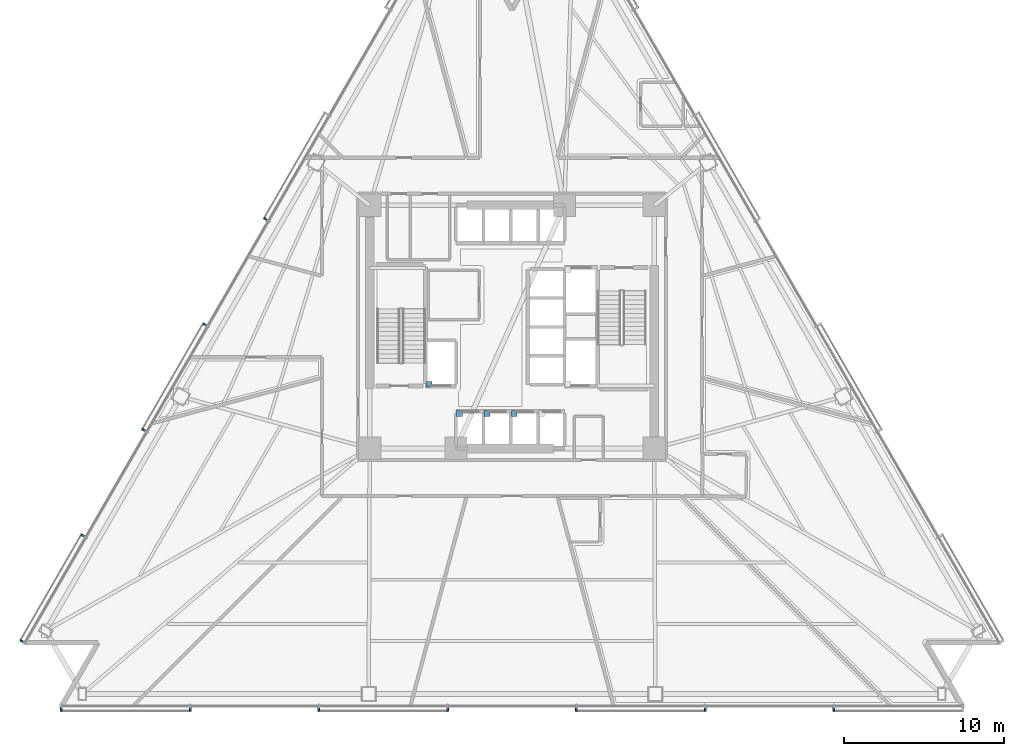
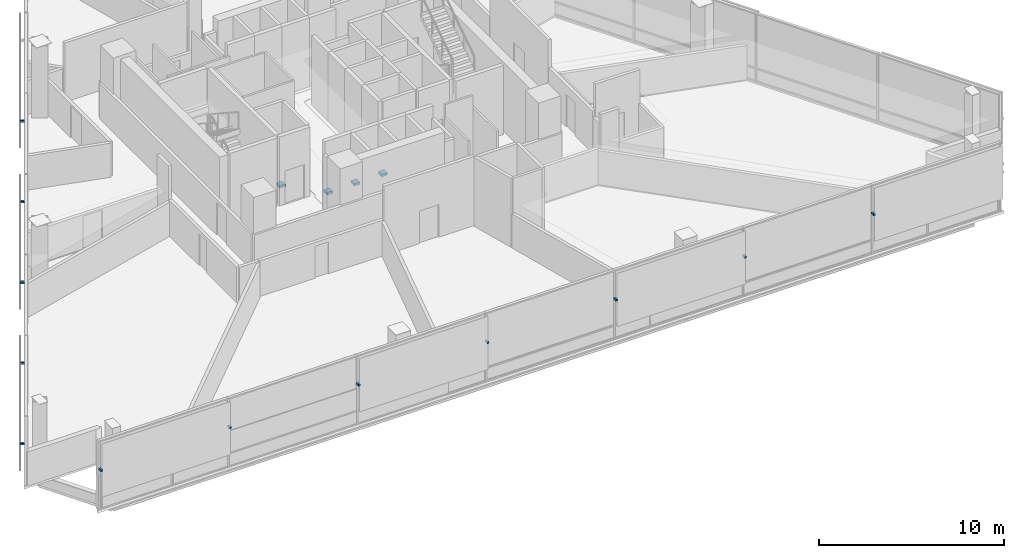
# One storey, part 11 of 17: 16 discrete accessories.
"""IFC4 building model written with IfcOpenShell, lengths in metres."""

from ifc_helpers import new_model, si_unit, direction, frame, origin, origin_2d, place, context, subcontext, project, spatial, rectangle, extrude, material, type_object, element, save


model = new_model("IFC4")

# Units and contexts
model_context = context("Model", 3, precision=1e-05, world=origin(), true_north=direction((0.0, 1.0)))
body_context = subcontext(model_context, "Body", "Model", "MODEL_VIEW")
ifc_project = project(units=[si_unit("LENGTHUNIT", "METRE"), si_unit("AREAUNIT", "SQUARE_METRE"), si_unit("VOLUMEUNIT", "CUBIC_METRE"), si_unit("PLANEANGLEUNIT", "RADIAN"), si_unit("MASSUNIT", "GRAM", prefix="KILO")], contexts=[model_context])

# Site, building, storey
site_placement = place(None, origin())
site = spatial("IfcSite", under=ifc_project, at=site_placement, CompositionType="ELEMENT")
building_placement = place(site_placement, origin())
building = spatial("IfcBuilding", under=site, at=building_placement, Name="Tharavind Bronze Gate", CompositionType="ELEMENT")
storey_placement = place(building_placement, frame((0.0, 0.0, 52.25)))
storey = spatial("IfcBuildingStorey", under=building, at=storey_placement, Name="L12", CompositionType="ELEMENT", Elevation=52.25)

# Discrete accessories
ifc_material_1 = material(Name="Galvanised Steel S355", Category="steel")
discrete_accessory_type_1 = type_object("IfcDiscreteAccessoryType", Name="LIFT GUIDE RAIL BRACKET", PredefinedType="BRACKET", material=ifc_material_1)
for number, where, z_axis, x_axis, name in (
    (1, (-3.280029296875, -5.419921875, 1.1201171875), (0.0, 0.0, 1.0), (1.0, 0.0, 0.0), "Lift PL1 guide rail bracket at L12"),
    (2, (-1.5673828125, -5.419921875, 1.1201171875), (0.0, 0.0, 1.0), (1.0, 0.0, 0.0), "Lift PL2 guide rail bracket at L12"),
    (3, (0.14501953125, -5.419921875, 1.1201171875), (0.0, 0.0, 1.0), (1.0, 0.0, 0.0), "Lift PL3 guide rail bracket at L12"),
    (4, (-5.179931640625, -3.580078125, 1.1201171875), (0.0, 0.0, 1.0), (1.0, 0.0, 0.0), "Lift FFL1 guide rail bracket at L12"),
):
    element("IfcDiscreteAccessory", number, at=place(storey_placement, frame(where, z_axis=z_axis, x_axis=x_axis)), inside=storey, type_object=discrete_accessory_type_1, Name=name, PredefinedType="BRACKET", context=body_context, shape_type="SweptSolid", body=[
        extrude(rectangle(XDim=0.360107421875, YDim=0.360107421875, at=origin_2d()), origin(), (0.0, 0.0, 1.0), 0.159912109375),
    ])
ifc_material_2 = material(Name="Stainless Steel 316", Category="steel")
discrete_accessory_type_2 = type_object("IfcDiscreteAccessoryType", Name="SOLAR SCREEN STANDOFF BRACKET", PredefinedType="BRACKET", material=ifc_material_2)
for number, where, z_axis, x_axis, name in (
    (5, (-15.397216796875, 6.7314453125, 2.669921875), (0.0, 0.0, 1.0), (-0.500001511499, -0.866024531118, 0.0), "CW-L12-S1 solar screen bracket 3.2"),
    (6, (-19.205078125, 0.135986328125, 2.669921875), (0.0, 0.0, 1.0), (-0.500001511499, -0.866024531118, 0.0), "CW-L12-S1 solar screen bracket 5.1"),
    (7, (-23.01318359375, -6.459716796875, 2.669921875), (0.0, 0.0, 1.0), (-0.500001511499, -0.866024531118, 0.0), "CW-L12-S1 solar screen bracket 5.2"),
    (8, (-26.821044921875, -13.055419921875, 2.669921875), (0.0, 0.0, 1.0), (-0.500001511499, -0.866024531118, 0.0), "CW-L12-S1 solar screen bracket 7.1"),
    (9, (-30.62890625, -19.65087890625, 2.669921875), (0.0, 0.0, 1.0), (-0.500001511499, -0.866024531118, 0.0), "CW-L12-S1 solar screen bracket 7.2"),
    (10, (-28.17578125, -23.89990234375, 2.669921875), (0.0, 0.0, 1.0), (1.0, 0.0, 0.0), "CW-L12-S2 solar screen bracket 1.1"),
    (11, (-20.12548828125, -23.89990234375, 2.669921875), (0.0, 0.0, 1.0), (1.0, 0.0, 0.0), "CW-L12-S2 solar screen bracket 1.2"),
    (12, (-12.0751953125, -23.89990234375, 2.669921875), (0.0, 0.0, 1.0), (1.0, 0.0, 0.0), "CW-L12-S2 solar screen bracket 3.1"),
    (13, (-4.025146484375, -23.89990234375, 2.669921875), (0.0, 0.0, 1.0), (1.0, 0.0, 0.0), "CW-L12-S2 solar screen bracket 3.2"),
    (14, (4.025146484375, -23.89990234375, 2.669921875), (0.0, 0.0, 1.0), (1.0, 0.0, 0.0), "CW-L12-S2 solar screen bracket 5.1"),
    (15, (12.0751953125, -23.89990234375, 2.669921875), (0.0, 0.0, 1.0), (1.0, 0.0, 0.0), "CW-L12-S2 solar screen bracket 5.2"),
    (16, (20.12548828125, -23.89990234375, 2.669921875), (0.0, 0.0, 1.0), (1.0, 0.0, 0.0), "CW-L12-S2 solar screen bracket 7.1"),
):
    element("IfcDiscreteAccessory", number, at=place(storey_placement, frame(where, z_axis=z_axis, x_axis=x_axis)), inside=storey, type_object=discrete_accessory_type_2, Name=name, PredefinedType="BRACKET", context=body_context, shape_type="SweptSolid", body=[
        extrude(rectangle(XDim=0.1201171875, YDim=0.239990234375, at=origin_2d()), origin(), (0.0, 0.0, 1.0), 0.1201171875),
    ])

save(model, "model.ifc")
